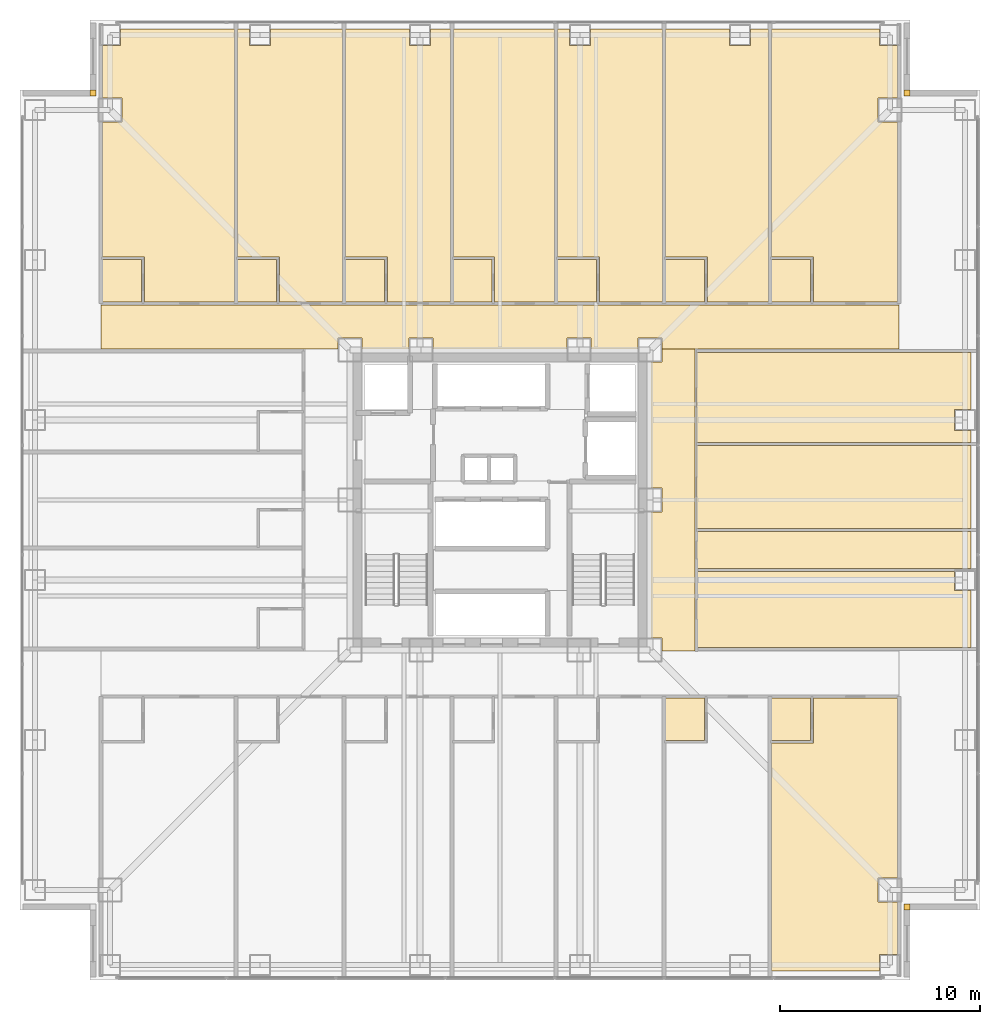
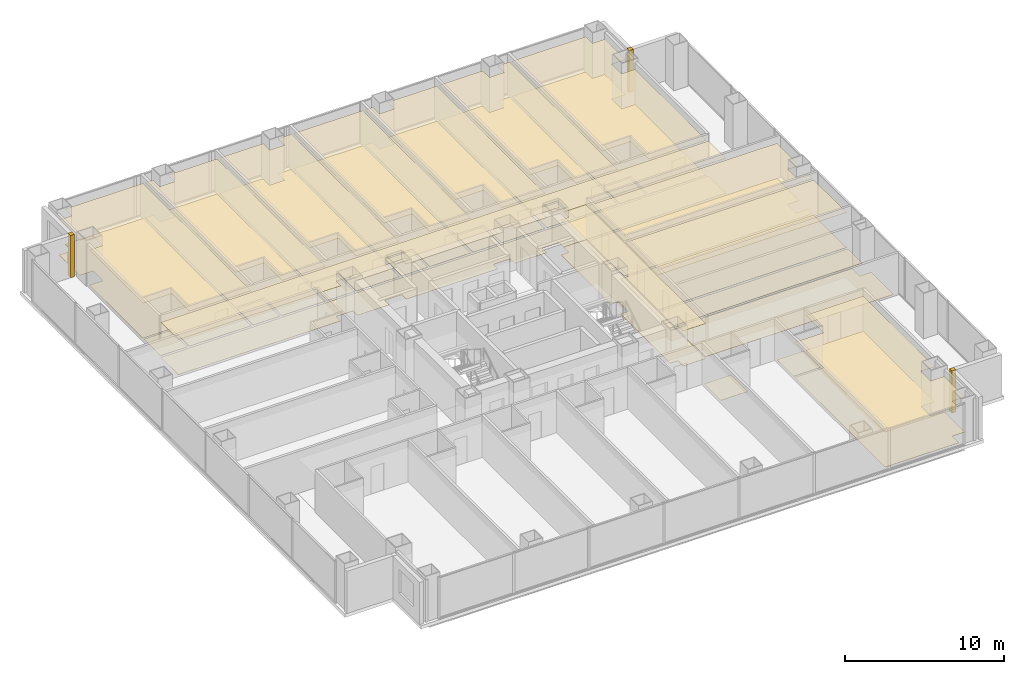
# One storey, part 17 of 17: 38 coverings.
"""IFC4 building model written with IfcOpenShell, lengths in metres."""

from ifc_helpers import new_model, si_unit, direction, frame, origin, place, context, subcontext, project, spatial, polyline, outline, extrude, material, layer, layer_set, type_object, element, save


model = new_model("IFC4")

# Units and contexts
model_context = context("Model", 3, precision=1e-05, world=origin(), true_north=direction((0.0, 1.0)))
body_context = subcontext(model_context, "Body", "Model", "MODEL_VIEW")
ifc_project = project(units=[si_unit("LENGTHUNIT", "METRE"), si_unit("AREAUNIT", "SQUARE_METRE"), si_unit("VOLUMEUNIT", "CUBIC_METRE"), si_unit("PLANEANGLEUNIT", "RADIAN"), si_unit("MASSUNIT", "GRAM", prefix="KILO")], contexts=[model_context])

# Site, building, storey
site_placement = place(None, origin())
site = spatial("IfcSite", under=ifc_project, at=site_placement, CompositionType="ELEMENT")
building_placement = place(site_placement, origin())
building = spatial("IfcBuilding", under=site, at=building_placement, Name="Trevonay Congress Spire", CompositionType="ELEMENT")
storey_placement = place(building_placement, frame((0.0, 0.0, 30.5)))
storey = spatial("IfcBuildingStorey", under=building, at=storey_placement, Name="L06", CompositionType="ELEMENT", Elevation=30.5)

# Coverings
ifc_material_1 = material(Name="Acoustic Mineral Fibre Board", Category="gypsum")
ifc_layer_1 = layer(ifc_material_1, 0.02490234375, Name="Acoustic Mineral Fibre Board")
ifc_layer_set_1 = layer_set([ifc_layer_1], Name="Acoustic Mineral Fibre Board")
covering_type_1 = type_object("IfcCoveringType", Name="COV-CEIL-ACOUSTIC", PredefinedType="CEILING", material=ifc_layer_set_1)
covering_1_placement = place(storey_placement, frame((0.0, 0.0, 2.699951171875)))
element("IfcCovering", 1, at=covering_1_placement, inside=storey, type_object=covering_type_1, Name="L06 Hotel Floor Corridor North acoustic suspended ceiling", PredefinedType="CEILING", context=body_context, shape_type="SweptSolid", body=[
    extrude(outline(polyline([(-19.949951171875, 7.550048828125), (-19.949951171875, 9.75), (19.949951171875, 9.75), (19.949951171875, 7.550048828125), (8.110107421875, 7.550048828125), (8.110107421875, 8.110107421875), (6.889892578125, 8.110107421875), (6.889892578125, 7.550048828125), (4.56005859375, 7.550048828125), (4.56005859375, 8.110107421875), (3.340087890625, 8.110107421875), (3.340087890625, 7.550048828125), (-3.340087890625, 7.550048828125), (-3.340087890625, 8.110107421875), (-4.56005859375, 8.110107421875), (-4.56005859375, 7.550048828125), (-6.889892578125, 7.550048828125), (-6.889892578125, 8.110107421875), (-8.110107421875, 8.110107421875), (-8.110107421875, 7.550048828125), (-19.949951171875, 7.550048828125)])), origin(), (0.0, 0.0, 1.0), 0.025146484375),
])
covering_2_placement = place(storey_placement, frame((0.0, 0.0, 2.699951171875)))
element("IfcCovering", 2, at=covering_2_placement, inside=storey, type_object=covering_type_1, Name="L06 Hotel Floor Corridor East acoustic suspended ceiling", PredefinedType="CEILING", context=body_context, shape_type="SweptSolid", body=[
    extrude(outline(polyline([(9.75, -7.550048828125), (8.110107421875, -7.550048828125), (8.110107421875, -6.889892578125), (7.550048828125, -6.889892578125), (7.550048828125, -0.610107421875), (8.110107421875, -0.610107421875), (8.110107421875, 0.610107421875), (7.550048828125, 0.610107421875), (7.550048828125, 6.889892578125), (8.110107421875, 6.889892578125), (8.110107421875, 7.550048828125), (9.75, 7.550048828125), (9.75, -7.550048828125)])), origin(), (0.0, 0.0, 1.0), 0.025146484375),
])
covering_3_placement = place(storey_placement, frame((0.0, 0.0, 2.699951171875)))
element("IfcCovering", 3, at=covering_3_placement, inside=storey, type_object=covering_type_1, Name="L06 Corner Hotel Suite acoustic suspended ceiling", PredefinedType="CEILING", context=body_context, shape_type="SweptSolid", body=[
    extrude(outline(polyline([(13.580078125, -23.550048828125), (13.580078125, -12.139892578125), (15.669921875, -12.139892578125), (15.669921875, -9.909912109375), (19.8701171875, -9.909912109375), (19.8701171875, -18.889892578125), (18.889892578125, -18.889892578125), (18.889892578125, -20.110107421875), (19.8701171875, -20.110107421875), (19.8701171875, -22.715087890625), (18.965087890625, -22.715087890625), (18.965087890625, -23.550048828125), (13.580078125, -23.550048828125)])), origin(), (0.0, 0.0, 1.0), 0.025146484375),
])
covering_4_placement = place(storey_placement, frame((0.0, 0.0, 2.699951171875)))
element("IfcCovering", 4, at=covering_4_placement, inside=storey, type_object=covering_type_1, Name="L06 Corner Hotel Suite acoustic suspended ceiling", PredefinedType="CEILING", context=body_context, shape_type="SweptSolid", body=[
    extrude(outline(polyline([(-13.280029296875, 23.550048828125), (-13.280029296875, 9.909912109375), (-17.780029296875, 9.909912109375), (-17.780029296875, 12.139892578125), (-19.8701171875, 12.139892578125), (-19.8701171875, 18.889892578125), (-18.889892578125, 18.889892578125), (-18.889892578125, 20.110107421875), (-19.8701171875, 20.110107421875), (-19.8701171875, 22.715087890625), (-18.965087890625, 22.715087890625), (-18.965087890625, 23.550048828125), (-13.280029296875, 23.550048828125)])), origin(), (0.0, 0.0, 1.0), 0.025146484375),
])
covering_5_placement = place(storey_placement, frame((0.0, 0.0, 2.699951171875)))
element("IfcCovering", 5, at=covering_5_placement, inside=storey, type_object=covering_type_1, Name="L06 Hotel Guest Room acoustic suspended ceiling", PredefinedType="CEILING", context=body_context, shape_type="SweptSolid", body=[
    extrude(outline(polyline([(-7.8798828125, 23.550048828125), (-7.8798828125, 9.909912109375), (-11.030029296875, 9.909912109375), (-11.030029296875, 12.139892578125), (-13.1201171875, 12.139892578125), (-13.1201171875, 23.550048828125), (-12.534912109375, 23.550048828125), (-12.534912109375, 22.715087890625), (-11.465087890625, 22.715087890625), (-11.465087890625, 23.550048828125), (-7.8798828125, 23.550048828125)])), origin(), (0.0, 0.0, 1.0), 0.025146484375),
])
covering_6_placement = place(storey_placement, frame((0.0, 0.0, 2.699951171875)))
element("IfcCovering", 6, at=covering_6_placement, inside=storey, type_object=covering_type_1, Name="L06 Hotel Guest Room acoustic suspended ceiling", PredefinedType="CEILING", context=body_context, shape_type="SweptSolid", body=[
    extrude(outline(polyline([(-2.47998046875, 23.550048828125), (-2.47998046875, 9.909912109375), (-5.6298828125, 9.909912109375), (-5.6298828125, 12.139892578125), (-7.719970703125, 12.139892578125), (-7.719970703125, 23.550048828125), (-4.534912109375, 23.550048828125), (-4.534912109375, 22.715087890625), (-3.465087890625, 22.715087890625), (-3.465087890625, 23.550048828125), (-2.47998046875, 23.550048828125)])), origin(), (0.0, 0.0, 1.0), 0.025146484375),
])
covering_7_placement = place(storey_placement, frame((0.0, 0.0, 2.699951171875)))
element("IfcCovering", 7, at=covering_7_placement, inside=storey, type_object=covering_type_1, Name="L06 Hotel Guest Room acoustic suspended ceiling", PredefinedType="CEILING", context=body_context, shape_type="SweptSolid", body=[
    extrude(outline(polyline([(-0.264892578125, 9.909912109375), (2.719970703125, 9.909912109375), (2.719970703125, 23.550048828125), (-2.320068359375, 23.550048828125), (-2.320068359375, 12.139892578125), (-0.264892578125, 12.139892578125), (-0.264892578125, 9.909912109375)])), origin(), (0.0, 0.0, 1.0), 0.025146484375),
])
covering_8_placement = place(storey_placement, frame((0.0, 0.0, 2.699951171875)))
element("IfcCovering", 8, at=covering_8_placement, inside=storey, type_object=covering_type_1, Name="L06 Hotel Guest Room acoustic suspended ceiling", PredefinedType="CEILING", context=body_context, shape_type="SweptSolid", body=[
    extrude(outline(polyline([(8.1201171875, 23.550048828125), (8.1201171875, 9.909912109375), (4.969970703125, 9.909912109375), (4.969970703125, 12.139892578125), (2.8798828125, 12.139892578125), (2.8798828125, 23.550048828125), (3.465087890625, 23.550048828125), (3.465087890625, 22.715087890625), (4.534912109375, 22.715087890625), (4.534912109375, 23.550048828125), (8.1201171875, 23.550048828125)])), origin(), (0.0, 0.0, 1.0), 0.025146484375),
])
covering_9_placement = place(storey_placement, frame((0.0, 0.0, 2.699951171875)))
element("IfcCovering", 9, at=covering_9_placement, inside=storey, type_object=covering_type_1, Name="L06 Hotel Guest Room acoustic suspended ceiling", PredefinedType="CEILING", context=body_context, shape_type="SweptSolid", body=[
    extrude(outline(polyline([(13.419921875, 23.550048828125), (13.419921875, 9.909912109375), (10.3701171875, 9.909912109375), (10.3701171875, 12.139892578125), (8.280029296875, 12.139892578125), (8.280029296875, 23.550048828125), (11.465087890625, 23.550048828125), (11.465087890625, 22.715087890625), (12.534912109375, 22.715087890625), (12.534912109375, 23.550048828125), (13.419921875, 23.550048828125)])), origin(), (0.0, 0.0, 1.0), 0.025146484375),
])
covering_10_placement = place(storey_placement, frame((0.0, 0.0, 2.699951171875)))
element("IfcCovering", 10, at=covering_10_placement, inside=storey, type_object=covering_type_1, Name="L06 Corner Hotel Suite acoustic suspended ceiling", PredefinedType="CEILING", context=body_context, shape_type="SweptSolid", body=[
    extrude(outline(polyline([(19.8701171875, 9.909912109375), (15.669921875, 9.909912109375), (15.669921875, 12.139892578125), (13.580078125, 12.139892578125), (13.580078125, 23.550048828125), (18.965087890625, 23.550048828125), (18.965087890625, 22.715087890625), (19.8701171875, 22.715087890625), (19.8701171875, 20.110107421875), (18.889892578125, 20.110107421875), (18.889892578125, 18.889892578125), (19.8701171875, 18.889892578125), (19.8701171875, 9.909912109375)])), origin(), (0.0, 0.0, 1.0), 0.025146484375),
])
covering_11_placement = place(storey_placement, frame((0.0, 0.0, 2.699951171875)))
element("IfcCovering", 11, at=covering_11_placement, inside=storey, type_object=covering_type_1, Name="L06 Hotel Room-Service Pantry acoustic suspended ceiling", PredefinedType="CEILING", context=body_context, shape_type="SweptSolid", body=[
    extrude(outline(polyline([(9.830078125, -1.419921875), (23.550048828125, -1.419921875), (23.550048828125, 2.719970703125), (9.830078125, 2.719970703125), (9.830078125, -1.419921875)])), origin(), (0.0, 0.0, 1.0), 0.025146484375),
])
covering_12_placement = place(storey_placement, frame((0.0, 0.0, 2.699951171875)))
element("IfcCovering", 12, at=covering_12_placement, inside=storey, type_object=covering_type_1, Name="L06 Guest Concierge Desk Office acoustic suspended ceiling", PredefinedType="CEILING", context=body_context, shape_type="SweptSolid", body=[
    extrude(outline(polyline([(23.550048828125, 2.8798828125), (9.830078125, 2.8798828125), (9.830078125, 7.3701171875), (23.550048828125, 7.3701171875), (23.550048828125, 4.534912109375), (22.715087890625, 4.534912109375), (22.715087890625, 3.465087890625), (23.550048828125, 3.465087890625), (23.550048828125, 2.8798828125)])), origin(), (0.0, 0.0, 1.0), 0.025146484375),
])
ifc_material_2 = material(Name="Polished Granite Floor Tile", Category="masonry")
ifc_layer_2 = layer(ifc_material_2, 0.02001953125, Name="Polished Granite Floor Tile")
ifc_layer_set_2 = layer_set([ifc_layer_2], Name="Polished Granite Floor Tile")
covering_type_2 = type_object("IfcCoveringType", Name="COV-FLOOR-STONE", PredefinedType="FLOORING", material=ifc_layer_set_2)
covering_13_placement = place(storey_placement, origin())
element("IfcCovering", 13, at=covering_13_placement, inside=storey, type_object=covering_type_2, Name="L06 Hotel Floor Corridor North floor finish", PredefinedType="FLOORING", context=body_context, shape_type="SweptSolid", body=[
    extrude(outline(polyline([(-19.949951171875, 7.550048828125), (-19.949951171875, 9.75), (19.949951171875, 9.75), (19.949951171875, 7.550048828125), (8.110107421875, 7.550048828125), (8.110107421875, 8.110107421875), (6.889892578125, 8.110107421875), (6.889892578125, 7.550048828125), (4.56005859375, 7.550048828125), (4.56005859375, 8.110107421875), (3.340087890625, 8.110107421875), (3.340087890625, 7.550048828125), (-3.340087890625, 7.550048828125), (-3.340087890625, 8.110107421875), (-4.56005859375, 8.110107421875), (-4.56005859375, 7.550048828125), (-6.889892578125, 7.550048828125), (-6.889892578125, 8.110107421875), (-8.110107421875, 8.110107421875), (-8.110107421875, 7.550048828125), (-19.949951171875, 7.550048828125)])), origin(), (0.0, 0.0, 1.0), 0.02001953125),
])
covering_14_placement = place(storey_placement, origin())
element("IfcCovering", 14, at=covering_14_placement, inside=storey, type_object=covering_type_2, Name="L06 Hotel Floor Corridor East floor finish", PredefinedType="FLOORING", context=body_context, shape_type="SweptSolid", body=[
    extrude(outline(polyline([(9.75, -7.550048828125), (8.110107421875, -7.550048828125), (8.110107421875, -6.889892578125), (7.550048828125, -6.889892578125), (7.550048828125, -0.610107421875), (8.110107421875, -0.610107421875), (8.110107421875, 0.610107421875), (7.550048828125, 0.610107421875), (7.550048828125, 6.889892578125), (8.110107421875, 6.889892578125), (8.110107421875, 7.550048828125), (9.75, 7.550048828125), (9.75, -7.550048828125)])), origin(), (0.0, 0.0, 1.0), 0.02001953125),
])
covering_15_placement = place(storey_placement, origin())
element("IfcCovering", 15, at=covering_15_placement, inside=storey, type_object=covering_type_2, Name="L06 En-suite Bathroom floor finish", PredefinedType="FLOORING", context=body_context, shape_type="SweptSolid", body=[
    extrude(outline(polyline([(8.280029296875, -12.02001953125), (10.22998046875, -12.02001953125), (10.22998046875, -9.909912109375), (8.280029296875, -9.909912109375), (8.280029296875, -12.02001953125)])), origin(), (0.0, 0.0, 1.0), 0.02001953125),
])
covering_16_placement = place(storey_placement, origin())
element("IfcCovering", 16, at=covering_16_placement, inside=storey, type_object=covering_type_2, Name="L06 En-suite Bathroom floor finish", PredefinedType="FLOORING", context=body_context, shape_type="SweptSolid", body=[
    extrude(outline(polyline([(13.580078125, -12.02001953125), (15.530029296875, -12.02001953125), (15.530029296875, -9.909912109375), (13.580078125, -9.909912109375), (13.580078125, -12.02001953125)])), origin(), (0.0, 0.0, 1.0), 0.02001953125),
])
covering_17_placement = place(storey_placement, origin())
element("IfcCovering", 17, at=covering_17_placement, inside=storey, type_object=covering_type_2, Name="L06 En-suite Bathroom floor finish", PredefinedType="FLOORING", context=body_context, shape_type="SweptSolid", body=[
    extrude(outline(polyline([(-19.8701171875, 9.909912109375), (-17.919921875, 9.909912109375), (-17.919921875, 12.02001953125), (-19.8701171875, 12.02001953125), (-19.8701171875, 9.909912109375)])), origin(), (0.0, 0.0, 1.0), 0.02001953125),
])
covering_18_placement = place(storey_placement, origin())
element("IfcCovering", 18, at=covering_18_placement, inside=storey, type_object=covering_type_2, Name="L06 En-suite Bathroom floor finish", PredefinedType="FLOORING", context=body_context, shape_type="SweptSolid", body=[
    extrude(outline(polyline([(-13.1201171875, 9.909912109375), (-11.169921875, 9.909912109375), (-11.169921875, 12.02001953125), (-13.1201171875, 12.02001953125), (-13.1201171875, 9.909912109375)])), origin(), (0.0, 0.0, 1.0), 0.02001953125),
])
covering_19_placement = place(storey_placement, origin())
element("IfcCovering", 19, at=covering_19_placement, inside=storey, type_object=covering_type_2, Name="L06 En-suite Bathroom floor finish", PredefinedType="FLOORING", context=body_context, shape_type="SweptSolid", body=[
    extrude(outline(polyline([(-7.719970703125, 9.909912109375), (-5.77001953125, 9.909912109375), (-5.77001953125, 12.02001953125), (-7.719970703125, 12.02001953125), (-7.719970703125, 9.909912109375)])), origin(), (0.0, 0.0, 1.0), 0.02001953125),
])
covering_20_placement = place(storey_placement, origin())
element("IfcCovering", 20, at=covering_20_placement, inside=storey, type_object=covering_type_2, Name="L06 En-suite Bathroom floor finish", PredefinedType="FLOORING", context=body_context, shape_type="SweptSolid", body=[
    extrude(outline(polyline([(-2.320068359375, 9.909912109375), (-0.405029296875, 9.909912109375), (-0.405029296875, 12.02001953125), (-2.320068359375, 12.02001953125), (-2.320068359375, 9.909912109375)])), origin(), (0.0, 0.0, 1.0), 0.02001953125),
])
covering_21_placement = place(storey_placement, origin())
element("IfcCovering", 21, at=covering_21_placement, inside=storey, type_object=covering_type_2, Name="L06 En-suite Bathroom floor finish", PredefinedType="FLOORING", context=body_context, shape_type="SweptSolid", body=[
    extrude(outline(polyline([(2.8798828125, 9.909912109375), (4.830078125, 9.909912109375), (4.830078125, 12.02001953125), (2.8798828125, 12.02001953125), (2.8798828125, 9.909912109375)])), origin(), (0.0, 0.0, 1.0), 0.02001953125),
])
covering_22_placement = place(storey_placement, origin())
element("IfcCovering", 22, at=covering_22_placement, inside=storey, type_object=covering_type_2, Name="L06 En-suite Bathroom floor finish", PredefinedType="FLOORING", context=body_context, shape_type="SweptSolid", body=[
    extrude(outline(polyline([(8.280029296875, 9.909912109375), (10.22998046875, 9.909912109375), (10.22998046875, 12.02001953125), (8.280029296875, 12.02001953125), (8.280029296875, 9.909912109375)])), origin(), (0.0, 0.0, 1.0), 0.02001953125),
])
covering_23_placement = place(storey_placement, origin())
element("IfcCovering", 23, at=covering_23_placement, inside=storey, type_object=covering_type_2, Name="L06 En-suite Bathroom floor finish", PredefinedType="FLOORING", context=body_context, shape_type="SweptSolid", body=[
    extrude(outline(polyline([(13.580078125, 9.909912109375), (15.530029296875, 9.909912109375), (15.530029296875, 12.02001953125), (13.580078125, 12.02001953125), (13.580078125, 9.909912109375)])), origin(), (0.0, 0.0, 1.0), 0.02001953125),
])
covering_24_placement = place(storey_placement, origin())
element("IfcCovering", 24, at=covering_24_placement, inside=storey, type_object=covering_type_2, Name="L06 Housekeeping and Linen Room floor finish", PredefinedType="FLOORING", context=body_context, shape_type="SweptSolid", body=[
    extrude(outline(polyline([(23.550048828125, -7.3701171875), (9.830078125, -7.3701171875), (9.830078125, -3.580078125), (22.715087890625, -3.580078125), (22.715087890625, -4.534912109375), (23.550048828125, -4.534912109375), (23.550048828125, -7.3701171875)])), origin(), (0.0, 0.0, 1.0), 0.02001953125),
])
covering_25_placement = place(storey_placement, origin())
element("IfcCovering", 25, at=covering_25_placement, inside=storey, type_object=covering_type_2, Name="L06 Accessible WC floor finish", PredefinedType="FLOORING", context=body_context, shape_type="SweptSolid", body=[
    extrude(outline(polyline([(9.830078125, -3.419921875), (23.550048828125, -3.419921875), (23.550048828125, -1.580078125), (9.830078125, -1.580078125), (9.830078125, -3.419921875)])), origin(), (0.0, 0.0, 1.0), 0.02001953125),
])
covering_26_placement = place(storey_placement, origin())
element("IfcCovering", 26, at=covering_26_placement, inside=storey, type_object=covering_type_2, Name="L06 Hotel Room-Service Pantry floor finish", PredefinedType="FLOORING", context=body_context, shape_type="SweptSolid", body=[
    extrude(outline(polyline([(9.830078125, -1.419921875), (23.550048828125, -1.419921875), (23.550048828125, 2.719970703125), (9.830078125, 2.719970703125), (9.830078125, -1.419921875)])), origin(), (0.0, 0.0, 1.0), 0.02001953125),
])
ifc_material_3 = material(Name="Engineered Oak Flooring", Category="wood")
ifc_layer_3 = layer(ifc_material_3, 0.01806640625, Name="Engineered Oak Flooring")
ifc_layer_set_3 = layer_set([ifc_layer_3], Name="Engineered Oak Flooring")
covering_type_3 = type_object("IfcCoveringType", Name="COV-FLOOR-TIMBER", PredefinedType="FLOORING", material=ifc_layer_set_3)
covering_27_placement = place(storey_placement, origin())
element("IfcCovering", 27, at=covering_27_placement, inside=storey, type_object=covering_type_3, Name="L06 Corner Hotel Suite floor finish", PredefinedType="FLOORING", context=body_context, shape_type="SweptSolid", body=[
    extrude(outline(polyline([(13.580078125, -23.550048828125), (13.580078125, -12.139892578125), (15.669921875, -12.139892578125), (15.669921875, -9.909912109375), (19.8701171875, -9.909912109375), (19.8701171875, -18.889892578125), (18.889892578125, -18.889892578125), (18.889892578125, -20.110107421875), (19.8701171875, -20.110107421875), (19.8701171875, -22.715087890625), (18.965087890625, -22.715087890625), (18.965087890625, -23.550048828125), (13.580078125, -23.550048828125)])), origin(), (0.0, 0.0, 1.0), 0.01806640625),
])
covering_28_placement = place(storey_placement, origin())
element("IfcCovering", 28, at=covering_28_placement, inside=storey, type_object=covering_type_3, Name="L06 Corner Hotel Suite floor finish", PredefinedType="FLOORING", context=body_context, shape_type="SweptSolid", body=[
    extrude(outline(polyline([(-13.280029296875, 23.550048828125), (-13.280029296875, 9.909912109375), (-17.780029296875, 9.909912109375), (-17.780029296875, 12.139892578125), (-19.8701171875, 12.139892578125), (-19.8701171875, 18.889892578125), (-18.889892578125, 18.889892578125), (-18.889892578125, 20.110107421875), (-19.8701171875, 20.110107421875), (-19.8701171875, 22.715087890625), (-18.965087890625, 22.715087890625), (-18.965087890625, 23.550048828125), (-13.280029296875, 23.550048828125)])), origin(), (0.0, 0.0, 1.0), 0.01806640625),
])
covering_29_placement = place(storey_placement, origin())
element("IfcCovering", 29, at=covering_29_placement, inside=storey, type_object=covering_type_3, Name="L06 Hotel Guest Room floor finish", PredefinedType="FLOORING", context=body_context, shape_type="SweptSolid", body=[
    extrude(outline(polyline([(-7.8798828125, 23.550048828125), (-7.8798828125, 9.909912109375), (-11.030029296875, 9.909912109375), (-11.030029296875, 12.139892578125), (-13.1201171875, 12.139892578125), (-13.1201171875, 23.550048828125), (-12.534912109375, 23.550048828125), (-12.534912109375, 22.715087890625), (-11.465087890625, 22.715087890625), (-11.465087890625, 23.550048828125), (-7.8798828125, 23.550048828125)])), origin(), (0.0, 0.0, 1.0), 0.01806640625),
])
covering_30_placement = place(storey_placement, origin())
element("IfcCovering", 30, at=covering_30_placement, inside=storey, type_object=covering_type_3, Name="L06 Hotel Guest Room floor finish", PredefinedType="FLOORING", context=body_context, shape_type="SweptSolid", body=[
    extrude(outline(polyline([(-2.47998046875, 23.550048828125), (-2.47998046875, 9.909912109375), (-5.6298828125, 9.909912109375), (-5.6298828125, 12.139892578125), (-7.719970703125, 12.139892578125), (-7.719970703125, 23.550048828125), (-4.534912109375, 23.550048828125), (-4.534912109375, 22.715087890625), (-3.465087890625, 22.715087890625), (-3.465087890625, 23.550048828125), (-2.47998046875, 23.550048828125)])), origin(), (0.0, 0.0, 1.0), 0.01806640625),
])
covering_31_placement = place(storey_placement, origin())
element("IfcCovering", 31, at=covering_31_placement, inside=storey, type_object=covering_type_3, Name="L06 Hotel Guest Room floor finish", PredefinedType="FLOORING", context=body_context, shape_type="SweptSolid", body=[
    extrude(outline(polyline([(-0.264892578125, 9.909912109375), (2.719970703125, 9.909912109375), (2.719970703125, 23.550048828125), (-2.320068359375, 23.550048828125), (-2.320068359375, 12.139892578125), (-0.264892578125, 12.139892578125), (-0.264892578125, 9.909912109375)])), origin(), (0.0, 0.0, 1.0), 0.01806640625),
])
covering_32_placement = place(storey_placement, origin())
element("IfcCovering", 32, at=covering_32_placement, inside=storey, type_object=covering_type_3, Name="L06 Hotel Guest Room floor finish", PredefinedType="FLOORING", context=body_context, shape_type="SweptSolid", body=[
    extrude(outline(polyline([(8.1201171875, 23.550048828125), (8.1201171875, 9.909912109375), (4.969970703125, 9.909912109375), (4.969970703125, 12.139892578125), (2.8798828125, 12.139892578125), (2.8798828125, 23.550048828125), (3.465087890625, 23.550048828125), (3.465087890625, 22.715087890625), (4.534912109375, 22.715087890625), (4.534912109375, 23.550048828125), (8.1201171875, 23.550048828125)])), origin(), (0.0, 0.0, 1.0), 0.01806640625),
])
covering_33_placement = place(storey_placement, origin())
element("IfcCovering", 33, at=covering_33_placement, inside=storey, type_object=covering_type_3, Name="L06 Hotel Guest Room floor finish", PredefinedType="FLOORING", context=body_context, shape_type="SweptSolid", body=[
    extrude(outline(polyline([(13.419921875, 23.550048828125), (13.419921875, 9.909912109375), (10.3701171875, 9.909912109375), (10.3701171875, 12.139892578125), (8.280029296875, 12.139892578125), (8.280029296875, 23.550048828125), (11.465087890625, 23.550048828125), (11.465087890625, 22.715087890625), (12.534912109375, 22.715087890625), (12.534912109375, 23.550048828125), (13.419921875, 23.550048828125)])), origin(), (0.0, 0.0, 1.0), 0.01806640625),
])
covering_34_placement = place(storey_placement, origin())
element("IfcCovering", 34, at=covering_34_placement, inside=storey, type_object=covering_type_3, Name="L06 Corner Hotel Suite floor finish", PredefinedType="FLOORING", context=body_context, shape_type="SweptSolid", body=[
    extrude(outline(polyline([(19.8701171875, 9.909912109375), (15.669921875, 9.909912109375), (15.669921875, 12.139892578125), (13.580078125, 12.139892578125), (13.580078125, 23.550048828125), (18.965087890625, 23.550048828125), (18.965087890625, 22.715087890625), (19.8701171875, 22.715087890625), (19.8701171875, 20.110107421875), (18.889892578125, 20.110107421875), (18.889892578125, 18.889892578125), (19.8701171875, 18.889892578125), (19.8701171875, 9.909912109375)])), origin(), (0.0, 0.0, 1.0), 0.01806640625),
])
covering_35_placement = place(storey_placement, origin())
element("IfcCovering", 35, at=covering_35_placement, inside=storey, type_object=covering_type_3, Name="L06 Guest Concierge Desk Office floor finish", PredefinedType="FLOORING", context=body_context, shape_type="SweptSolid", body=[
    extrude(outline(polyline([(23.550048828125, 2.8798828125), (9.830078125, 2.8798828125), (9.830078125, 7.3701171875), (23.550048828125, 7.3701171875), (23.550048828125, 4.534912109375), (22.715087890625, 4.534912109375), (22.715087890625, 3.465087890625), (23.550048828125, 3.465087890625), (23.550048828125, 2.8798828125)])), origin(), (0.0, 0.0, 1.0), 0.01806640625),
])
ifc_material_4 = material(Name="Pale Anodised Aluminium EN AW-6063-T6", Category="aluminium")
ifc_layer_4 = layer(ifc_material_4, 0.0400390625, Name="Pale Anodised Aluminium EN AW-6063-T6")
ifc_layer_set_4 = layer_set([ifc_layer_4], Name="Pale Anodised Aluminium EN AW-6063-T6")
covering_type_4 = type_object("IfcCoveringType", Name="COV-SPANDREL-PALE-METAL", PredefinedType="CLADDING", material=ifc_layer_set_4)
covering_36_placement = place(storey_placement, origin())
element("IfcCovering", 36, at=covering_36_placement, inside=storey, type_object=covering_type_4, Name="L06 SE re-entrant notch corner closure trim", PredefinedType="CLADDING", context=body_context, shape_type="SweptSolid", body=[
    extrude(outline(polyline([(20.199951171875, -20.5), (20.5, -20.5), (20.5, -20.199951171875), (20.199951171875, -20.199951171875), (20.199951171875, -20.5)])), origin(), (0.0, 0.0, 1.0), 3.25),
])
covering_37_placement = place(storey_placement, origin())
element("IfcCovering", 37, at=covering_37_placement, inside=storey, type_object=covering_type_4, Name="L06 NE re-entrant notch corner closure trim", PredefinedType="CLADDING", context=body_context, shape_type="SweptSolid", body=[
    extrude(outline(polyline([(20.199951171875, 20.199951171875), (20.5, 20.199951171875), (20.5, 20.5), (20.199951171875, 20.5), (20.199951171875, 20.199951171875)])), origin(), (0.0, 0.0, 1.0), 3.25),
])
covering_38_placement = place(storey_placement, origin())
element("IfcCovering", 38, at=covering_38_placement, inside=storey, type_object=covering_type_4, Name="L06 NW re-entrant notch corner closure trim", PredefinedType="CLADDING", context=body_context, shape_type="SweptSolid", body=[
    extrude(outline(polyline([(-20.5, 20.199951171875), (-20.199951171875, 20.199951171875), (-20.199951171875, 20.5), (-20.5, 20.5), (-20.5, 20.199951171875)])), origin(), (0.0, 0.0, 1.0), 3.25),
])

save(model, "model.ifc")
